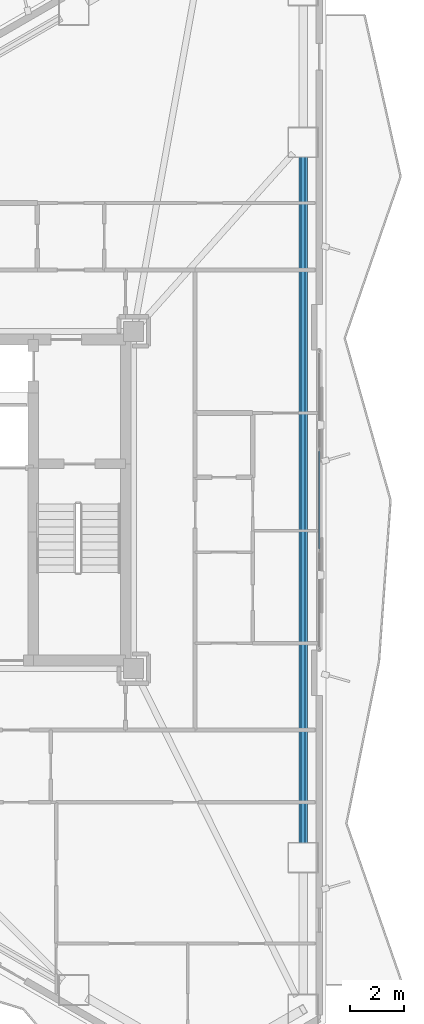
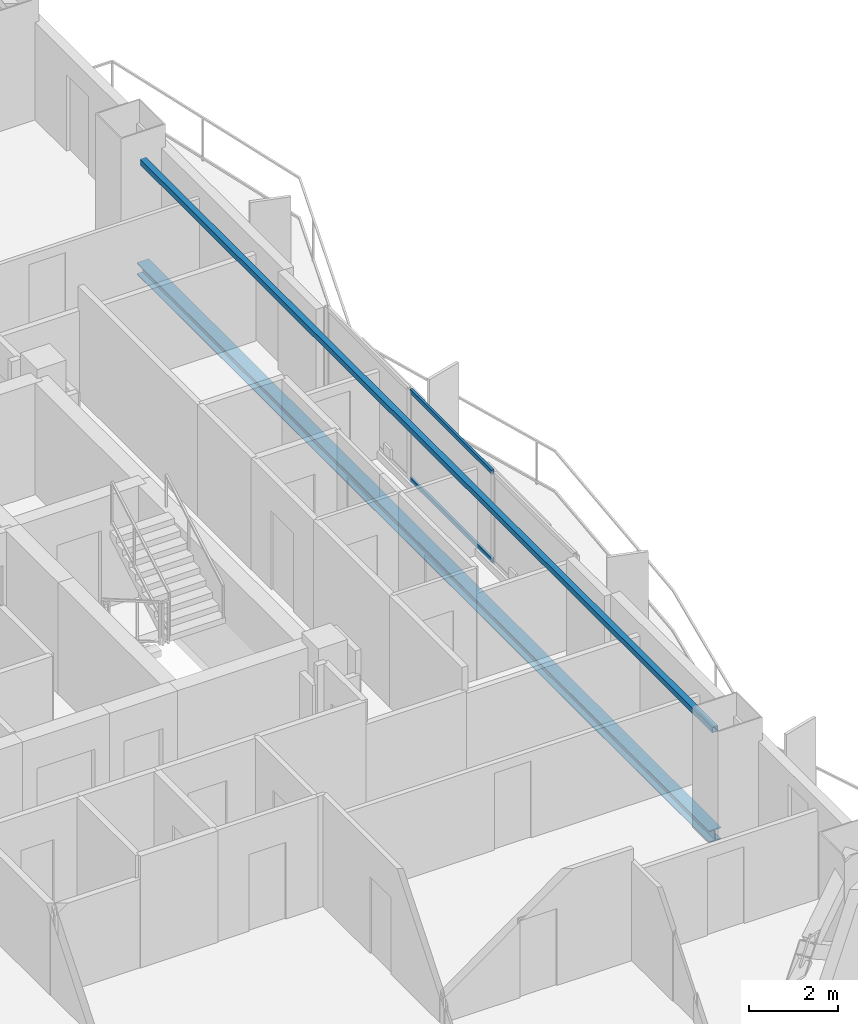
# One storey, part 9 of 23: 2 beams, 2 members, 1 element without a shape of its own.
"""IFC4 building model written with IfcOpenShell, lengths in metres."""

from ifc_helpers import new_model, si_unit, direction, frame, origin, origin_2d, place, context, subcontext, project, spatial, hollow_rectangle, i_section, extrude, material, layer, layer_set, material_profile, profile_set, type_object, element, aggregate, save


model = new_model("IFC4")

# Units and contexts
model_context = context("Model", 3, precision=1e-05, world=origin(), true_north=direction((0.0, 1.0)))
body_context = subcontext(model_context, "Body", "Model", "MODEL_VIEW")
ifc_project = project(units=[si_unit("LENGTHUNIT", "METRE"), si_unit("AREAUNIT", "SQUARE_METRE"), si_unit("VOLUMEUNIT", "CUBIC_METRE"), si_unit("PLANEANGLEUNIT", "RADIAN"), si_unit("MASSUNIT", "GRAM", prefix="KILO")], contexts=[model_context])

# Site, building, storey
site_placement = place(None, origin())
site = spatial("IfcSite", under=ifc_project, at=site_placement, CompositionType="ELEMENT")
building_placement = place(site_placement, origin())
building = spatial("IfcBuilding", under=site, at=building_placement, Name="Mersakhor Tower and Convention Hall", CompositionType="ELEMENT")
storey_placement = place(building_placement, frame((0.0, 0.0, 106.5)))
storey = spatial("IfcBuildingStorey", under=building, at=storey_placement, Name="L29", CompositionType="ELEMENT", Elevation=106.5)

# Beams
ifc_material_1 = material(Name="Steel S355", Category="steel")
ifc_material_profile_1 = material_profile(ifc_material_1, hollow_rectangle(XDim=0.14990234375, YDim=0.14990234375, WallThickness=0.010009765625, at=origin_2d()), Name="SHS 150x150x10")
ifc_profile_set_1 = profile_set([ifc_material_profile_1], Name="Steel S355")
beam_type_1 = type_object("IfcBeamType", Name="BM-GRT-SHS150", PredefinedType="USERDEFINED", material=ifc_profile_set_1)
beam_1_placement = place(storey_placement, frame((42.4345703125, 39.566650390625, 2.47998046875), z_axis=(0.0, -1.0, 0.0), x_axis=(1.0, 0.0, 0.0)))
element("IfcBeam", 1, at=beam_1_placement, inside=storey, type_object=beam_type_1, Name="L29 Facade Support Girt GRT-F2", ObjectType="GIRT", PredefinedType="USERDEFINED", context=body_context, shape_type="SweptSolid", body=[
    extrude(hollow_rectangle(XDim=0.14990234375, YDim=0.14990234375, WallThickness=0.010009765625, at=origin_2d()), origin(), (0.0, 0.0, 1.0), 25.63330078125),
])
ifc_material_2 = material(Name="Steel S355", Category="steel")
ifc_material_profile_2 = material_profile(ifc_material_2, i_section(OverallWidth=0.30908203125, OverallDepth=0.320556640625, WebThickness=0.013916015625, FlangeThickness=0.021728515625, at=origin_2d()), Name="UC 305x305x137")
ifc_profile_set_2 = profile_set([ifc_material_profile_2], Name="Steel S355")
beam_type_2 = type_object("IfcBeamType", Name="BM-SPD-UC305", PredefinedType="SPANDREL", material=ifc_profile_set_2)
beam_2_placement = place(storey_placement, frame((42.4345703125, 39.566650390625, -0.410400390625), z_axis=(0.0, -1.0, 0.0), x_axis=(1.0, 0.0, 0.0)))
element("IfcBeam", 2, at=beam_2_placement, inside=storey, type_object=beam_type_2, Name="L29 Perimeter Spandrel Beam SPB-06", PredefinedType="SPANDREL", context=body_context, shape_type="SweptSolid", body=[
    extrude(i_section(OverallWidth=0.30908203125, OverallDepth=0.320556640625, WebThickness=0.013916015625, FlangeThickness=0.021728515625, at=origin_2d()), origin(), (0.0, 0.0, 1.0), 25.63330078125),
])

# Curtain wall, members
ifc_material_3 = material(Name="Dark solar low-E aluminium curtain wall", Category="aluminium")
ifc_layer = layer(ifc_material_3, 0.159912109375)
ifc_layer_set = layer_set([ifc_layer], Name="Dark solar low-E aluminium curtain wall")
curtain_wall_type = type_object("IfcCurtainWallType", Name="CW-SYS-01", PredefinedType="USERDEFINED", material=ifc_layer_set)
curtain_wall_placement = place(storey_placement, origin())
curtain_wall = element("IfcCurtainWall", 3, at=curtain_wall_placement, inside=storey, type_object=curtain_wall_type, Name="L29 Dark-Glass Curtain Wall F2-B2", ObjectType="CURTAIN WALL", PredefinedType="USERDEFINED")
ifc_material_4 = material(Name="Anodised aluminium EN AW-6063 T6", Category="aluminium")
ifc_material_profile_3 = material_profile(ifc_material_4, hollow_rectangle(XDim=0.06005859375, YDim=0.1201171875, WallThickness=0.0048828125, at=origin_2d()), Name="RHS 120x60x5")
ifc_profile_set_3 = profile_set([ifc_material_profile_3], Name="Anodised aluminium EN AW-6063 T6")
member_type = type_object("IfcMemberType", Name="CWT-120x60", PredefinedType="USERDEFINED", material=ifc_profile_set_3)
member_1_placement = place(storey_placement, frame((43.03466796875, 28.583984375, 0.22998046875), z_axis=(0.0, -1.0, 0.0), x_axis=(1.0, 0.0, 0.0)))
member_1 = element("IfcMember", 4, at=member_1_placement, type_object=member_type, Name="CW-01 transom 2.1", ObjectType="TRANSOM", PredefinedType="USERDEFINED", context=body_context, shape_type="SweptSolid", body=[
    extrude(hollow_rectangle(XDim=0.06005859375, YDim=0.1201171875, WallThickness=0.0048828125, at=origin_2d()), origin(), (0.0, 0.0, 1.0), 3.66796875),
])
member_2_placement = place(storey_placement, frame((43.03466796875, 28.583984375, 2.639892578125), z_axis=(0.0, -1.0, 0.0), x_axis=(1.0, 0.0, 0.0)))
member_2 = element("IfcMember", 5, at=member_2_placement, type_object=member_type, Name="CW-01 transom 2.2", ObjectType="TRANSOM", PredefinedType="USERDEFINED", context=body_context, shape_type="SweptSolid", body=[
    extrude(hollow_rectangle(XDim=0.06005859375, YDim=0.1201171875, WallThickness=0.0048828125, at=origin_2d()), origin(), (0.0, 0.0, 1.0), 3.66796875),
])
aggregate(curtain_wall, [member_1, member_2])

save(model, "model.ifc")
